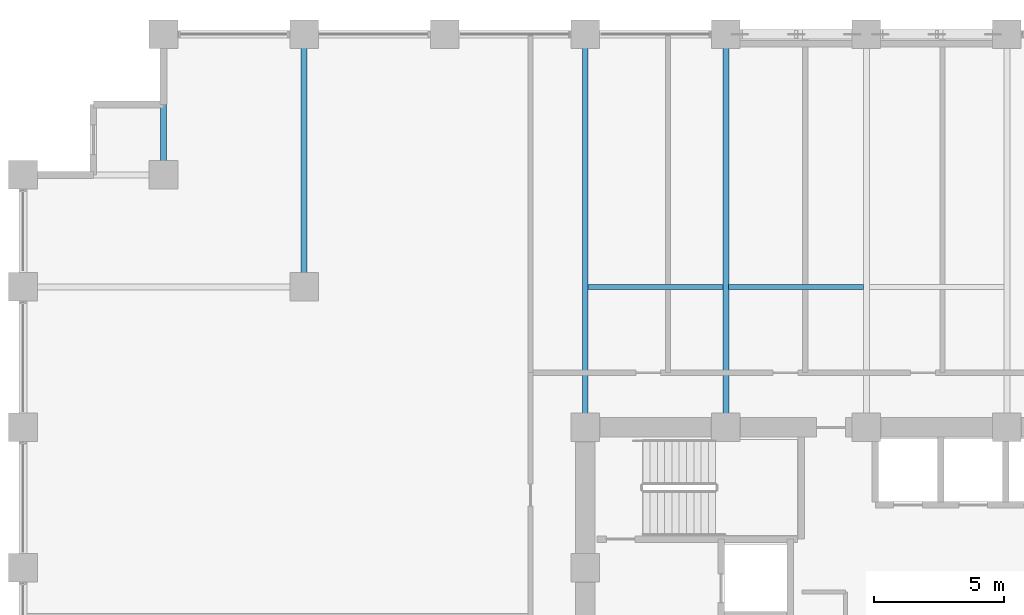
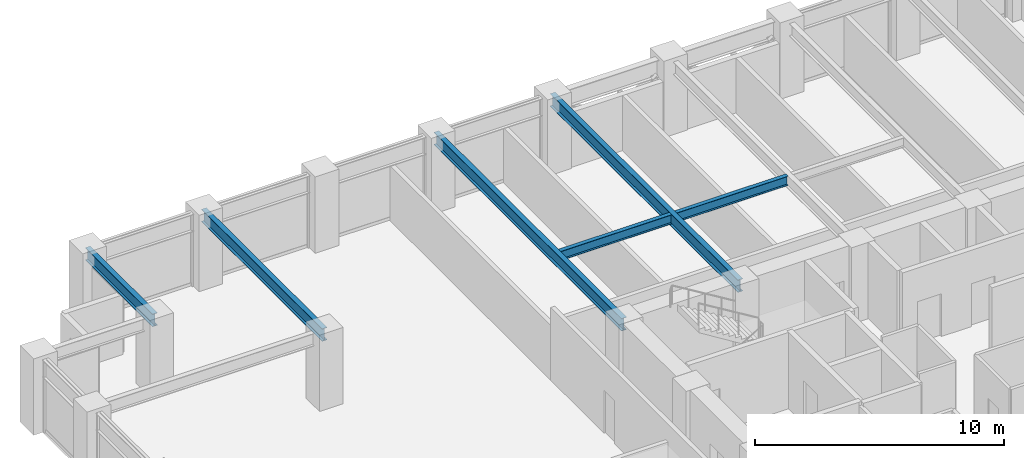
# One storey, part 11 of 25: 6 beams.
"""IFC4 building model written with IfcOpenShell, lengths in metres."""

from ifc_helpers import new_model, si_unit, direction, frame, origin, origin_2d, place, context, subcontext, project, spatial, i_section, extrude, material, material_profile, profile_set, type_object, element, save


model = new_model("IFC4")

# Units and contexts
model_context = context("Model", 3, precision=1e-05, world=origin(), true_north=direction((0.0, 1.0)))
body_context = subcontext(model_context, "Body", "Model", "MODEL_VIEW")
ifc_project = project(units=[si_unit("LENGTHUNIT", "METRE"), si_unit("AREAUNIT", "SQUARE_METRE"), si_unit("VOLUMEUNIT", "CUBIC_METRE"), si_unit("PLANEANGLEUNIT", "RADIAN"), si_unit("MASSUNIT", "GRAM", prefix="KILO")], contexts=[model_context])

# Site, building, storey
site_placement = place(None, origin())
site = spatial("IfcSite", under=ifc_project, at=site_placement, CompositionType="ELEMENT")
building_placement = place(site_placement, origin())
building = spatial("IfcBuilding", under=site, at=building_placement, Name="Surkhivell Harbour Commons", CompositionType="ELEMENT")
storey_placement = place(building_placement, frame((0.0, 0.0, 117.0)))
storey = spatial("IfcBuildingStorey", under=building, at=storey_placement, Name="L30", CompositionType="ELEMENT", Elevation=117.0)

# Beams
ifc_material = material(Name="Steel S355", Category="steel")
ifc_material_profile_1 = material_profile(ifc_material, i_section(OverallWidth=0.22998046875, OverallDepth=0.616943359375, WebThickness=0.01318359375, FlangeThickness=0.022216796875, at=origin_2d()), Name="UB610x229x140")
ifc_profile_set_1 = profile_set([ifc_material_profile_1], Name="Steel S355")
beam_type_1 = type_object("IfcBeamType", Name="BM-GRD-610B", PredefinedType="BEAM", material=ifc_profile_set_1)
beam_1_placement = place(storey_placement, frame((-27.0, 20.5, 3.261474609375), z_axis=(0.0, 1.0, 0.0), x_axis=(-1.0, 0.0, 0.0)))
element("IfcBeam", 1, at=beam_1_placement, inside=storey, type_object=beam_type_1, Name="L30 Floor Girder (-27.0,20.5)", PredefinedType="BEAM", context=body_context, shape_type="SweptSolid", body=[
    extrude(i_section(OverallWidth=0.22998046875, OverallDepth=0.616943359375, WebThickness=0.01318359375, FlangeThickness=0.022216796875, at=origin_2d()), origin(), (0.0, 0.0, 1.0), 5.39990234375),
])
beam_2_placement = place(storey_placement, frame((-21.60009765625, 16.199951171875, 3.261474609375), z_axis=(0.0, 1.0, 0.0), x_axis=(-1.0, 0.0, 0.0)))
element("IfcBeam", 2, at=beam_2_placement, inside=storey, type_object=beam_type_1, Name="L30 Floor Girder (-21.6,16.2)", PredefinedType="BEAM", context=body_context, shape_type="SweptSolid", body=[
    extrude(i_section(OverallWidth=0.22998046875, OverallDepth=0.616943359375, WebThickness=0.01318359375, FlangeThickness=0.022216796875, at=origin_2d()), origin(), (0.0, 0.0, 1.0), 9.699951171875),
])
for number, where, z_axis, x_axis, name in (
    (3, (-10.800048828125, 10.800048828125, 3.261474609375), (0.0, 1.0, 0.0), (-1.0, 0.0, 0.0), "L30 Floor Girder (-10.8,10.8)"),
    (4, (-5.39990234375, 10.800048828125, 3.261474609375), (0.0, 1.0, 0.0), (-1.0, 0.0, 0.0), "L30 Floor Girder (-5.4,10.8)"),
):
    element("IfcBeam", number, at=place(storey_placement, frame(where, z_axis=z_axis, x_axis=x_axis)), inside=storey, type_object=beam_type_1, Name=name, PredefinedType="BEAM", context=body_context, shape_type="SweptSolid", body=[
        extrude(i_section(OverallWidth=0.22998046875, OverallDepth=0.616943359375, WebThickness=0.01318359375, FlangeThickness=0.022216796875, at=origin_2d()), origin(), (0.0, 0.0, 1.0), 15.099853515625),
    ])
ifc_material_profile_2 = material_profile(ifc_material, i_section(OverallWidth=0.18994140625, OverallDepth=0.45703125, WebThickness=0.009033203125, FlangeThickness=0.014404296875, at=origin_2d()), Name="UB457x191x74")
ifc_profile_set_2 = profile_set([ifc_material_profile_2], Name="Steel S355")
beam_type_2 = type_object("IfcBeamType", Name="BM-JST-457B", PredefinedType="JOIST", material=ifc_profile_set_2)
for number, where, z_axis, x_axis, name in (
    (5, (-10.68701171875, 16.199951171875, 3.341552734375), (1.0, 0.0, 0.0), (0.0, 1.0, 0.0), "L30 North Composite Joist (-10.8)"),
    (6, (-5.287109375, 16.199951171875, 3.341552734375), (1.0, 0.0, 0.0), (0.0, 1.0, 0.0), "L30 North Composite Joist (-5.4)"),
):
    element("IfcBeam", number, at=place(storey_placement, frame(where, z_axis=z_axis, x_axis=x_axis)), inside=storey, type_object=beam_type_2, Name=name, PredefinedType="JOIST", context=body_context, shape_type="SweptSolid", body=[
        extrude(i_section(OverallWidth=0.18994140625, OverallDepth=0.45703125, WebThickness=0.009033203125, FlangeThickness=0.014404296875, at=origin_2d()), origin(), (0.0, 0.0, 1.0), 5.174072265625),
    ])

save(model, "model.ifc")
